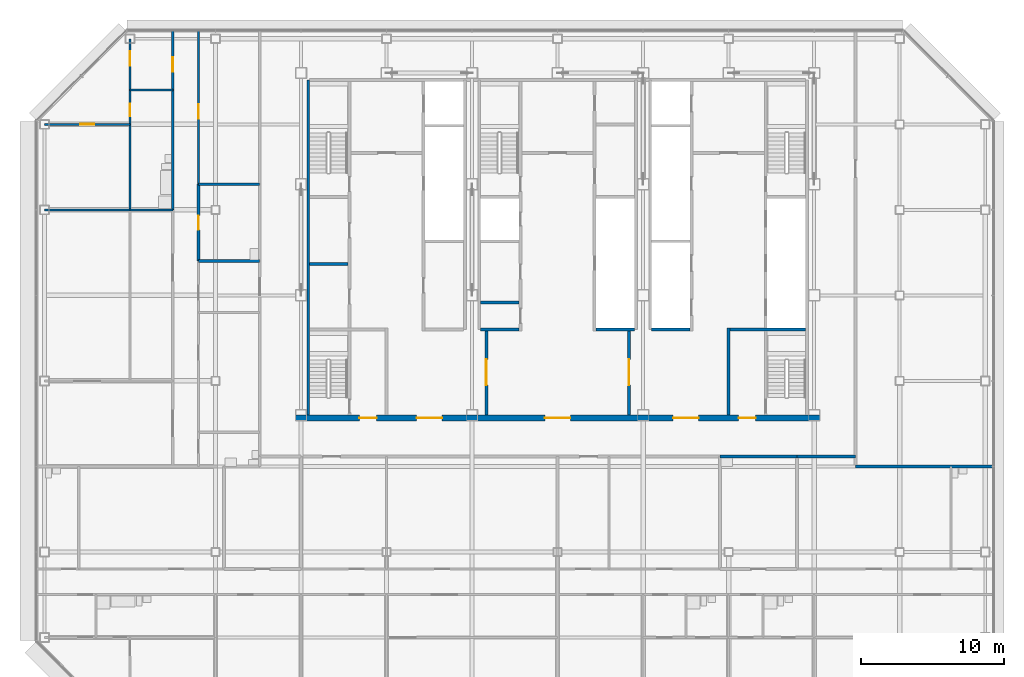
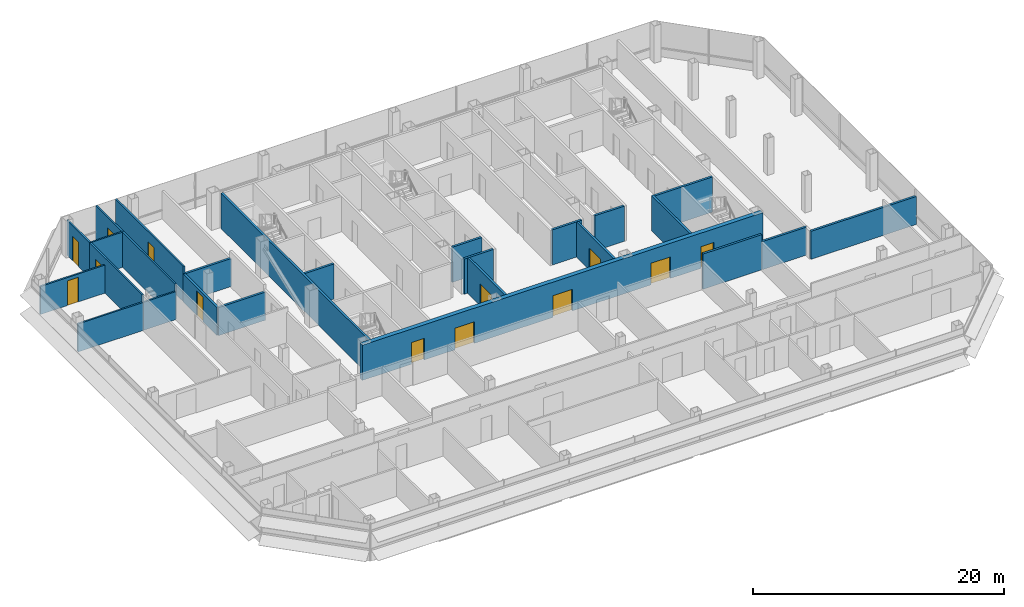
# One storey, part 22 of 27: 26 walls, 13 doors, 13 openings.
"""IFC4 building model written with IfcOpenShell, lengths in metres."""

from ifc_helpers import new_model, si_unit, direction, frame, frame_2d, origin, place, context, subcontext, project, spatial, rectangle, extrude, material, layer, layer_set, type_object, element, fill, save


model = new_model("IFC4")

# Units and contexts
model_context = context("Model", 3, precision=1e-05, world=origin(), true_north=direction((0.0, 1.0)))
body_context = subcontext(model_context, "Body", "Model", "MODEL_VIEW")
ifc_project = project(units=[si_unit("LENGTHUNIT", "METRE"), si_unit("AREAUNIT", "SQUARE_METRE"), si_unit("VOLUMEUNIT", "CUBIC_METRE"), si_unit("PLANEANGLEUNIT", "RADIAN"), si_unit("MASSUNIT", "GRAM", prefix="KILO")], contexts=[model_context])

# Site, building, storey
site_placement = place(None, origin())
site = spatial("IfcSite", under=ifc_project, at=site_placement, CompositionType="ELEMENT")
building_placement = place(site_placement, origin())
building = spatial("IfcBuilding", under=site, at=building_placement, Name="Sorahane Residences", CompositionType="ELEMENT")
storey_placement = place(building_placement, frame((0.0, 0.0, 239.60009765625)))
storey = spatial("IfcBuildingStorey", under=building, at=storey_placement, Name="L56", CompositionType="ELEMENT", Elevation=239.60009765625)

# Walls
ifc_material_1 = material(Name="Concrete C30", Category="concrete")
ifc_layer_1 = layer(ifc_material_1, 0.199951171875)
ifc_layer_set_1 = layer_set([ifc_layer_1], Name="Core face wall 200 EI 180")
wall_type_1 = type_object("IfcWallType", Name="Core face wall 200 EI 180", PredefinedType="SOLIDWALL", material=ifc_layer_set_1)
wall_1_placement = place(storey_placement, frame((6.5, 21.60009765625, 0.0), z_axis=(0.0, 0.0, 1.0), x_axis=(0.0, 1.0, 0.0)))
element("IfcWall", 1, at=wall_1_placement, inside=storey, type_object=wall_type_1, Name="L56 core face wall", PredefinedType="SOLIDWALL", context=body_context, shape_type="SweptSolid", body=[
    extrude(rectangle(XDim=23.5, YDim=0.199951171875, at=frame_2d((11.75, 0.0))), origin(), (0.0, 0.0, 1.0), 3.419921875),
])
ifc_material_2 = material(Name="Concrete blockwork C20 wall", Category="masonry")
ifc_layer_2 = layer(ifc_material_2, 0.199951171875)
ifc_layer_set_2 = layer_set([ifc_layer_2], Name="Corridor wall 200 EI 120")
wall_type_2 = type_object("IfcWallType", Name="Corridor wall 200 EI 120", PredefinedType="SOLIDWALL", material=ifc_layer_set_2)
wall_2_placement = place(storey_placement, frame((44.89990234375, 18.0, 0.0), z_axis=(0.0, 0.0, 1.0), x_axis=(1.0, 0.0, 0.0)))
element("IfcWall", 2, at=wall_2_placement, inside=storey, type_object=wall_type_2, Name="L56 corridor wall", PredefinedType="SOLIDWALL", context=body_context, shape_type="SweptSolid", body=[
    extrude(rectangle(XDim=9.7001953125, YDim=0.199951171875, at=frame_2d((4.85009765625, 0.0))), origin(), (0.0, 0.0, 1.0), 2.719970703125),
])
wall_3_placement = place(storey_placement, frame((40.800048828125, 18.699951171875, 0.0), z_axis=(0.0, 0.0, 1.0), x_axis=(1.0, 0.0, 0.0)))
element("IfcWall", 3, at=wall_3_placement, inside=storey, type_object=wall_type_2, Name="L56 corridor wall", PredefinedType="SOLIDWALL", context=body_context, shape_type="SweptSolid", body=[
    extrude(rectangle(XDim=4.099853515625, YDim=0.199951171875, at=frame_2d((2.0498046875, 0.0))), origin(), (0.0, 0.0, 1.0), 2.719970703125),
])
ifc_material_3 = material(Name="Concrete C30", Category="concrete")
ifc_layer_3 = layer(ifc_material_3, 0.199951171875)
ifc_layer_set_3 = layer_set([ifc_layer_3], Name="Front room wall 200 EI 120")
wall_type_3 = type_object("IfcWallType", Name="Front room wall 200 EI 120", PredefinedType="PARTITIONING", material=ifc_layer_set_3)
wall_4_placement = place(storey_placement, frame((36.0, 21.60009765625, 0.0), z_axis=(0.0, 0.0, 1.0), x_axis=(0.0, 1.0, 0.0)))
element("IfcWall", 4, at=wall_4_placement, inside=storey, type_object=wall_type_3, Name="L56 front room wall", PredefinedType="PARTITIONING", context=body_context, shape_type="SweptSolid", body=[
    extrude(rectangle(XDim=6.099853515625, YDim=0.199951171875, at=frame_2d((3.0498046875, 0.0))), origin(), (0.0, 0.0, 1.0), 3.419921875),
])

# Wall, opening, door
ifc_material_4 = material(Name="Concrete blockwork C20 wall", Category="masonry")
ifc_layer_4 = layer(ifc_material_4, 0.199951171875)
ifc_layer_set_4 = layer_set([ifc_layer_4], Name="Kitchen wall 200 EI 180")
wall_type_4 = type_object("IfcWallType", Name="Kitchen wall 200 EI 180", PredefinedType="SOLIDWALL", material=ifc_layer_set_4)
wall_5_placement = place(storey_placement, frame((-1.199951171875, 32.39990234375, 0.0), z_axis=(0.0, 0.0, 1.0), x_axis=(0.0, 1.0, 0.0)))
wall_5 = element("IfcWall", 5, at=wall_5_placement, inside=storey, type_object=wall_type_4, Name="L56 kitchen wall", PredefinedType="SOLIDWALL", context=body_context, shape_type="SweptSolid", body=[
    extrude(rectangle(XDim=5.400146484375, YDim=0.199951171875, at=frame_2d((2.7001953125, 0.0))), origin(), (0.0, 0.0, 1.0), 2.719970703125),
])
opening_1_placement = place(wall_5_placement, frame((2.199951171875, 0.0, 0.0)))
opening_1 = element("IfcOpeningElement", 6, at=opening_1_placement, cuts=wall_5, Name="Opening L56-31", PredefinedType="OPENING", context=body_context, shape_type="SweptSolid", body=[
    extrude(rectangle(XDim=1.0, YDim=2.39990234375, at=frame_2d((0.5, 1.199951171875))), frame((0.0, 0.10986328125, 0.0), z_axis=(0.0, -1.0, 0.0), x_axis=(1.0, 0.0, 0.0)), (0.0, 0.0, 1.0), 0.219970703125),
])
ifc_material_5 = material(Name="Steel", Category="steel")
door_type_1 = type_object("IfcDoorType", Name="Kitchen door 1000x2400 FD120", OperationType="NOTDEFINED", PredefinedType="DOOR", material=ifc_material_5)
door_1_placement = place(opening_1_placement, frame((1.0, 0.0, 0.0), z_axis=(0.0, 0.0, 1.0), x_axis=(-1.0, 0.0, 0.0)))
door_1 = element("IfcDoor", 7, at=door_1_placement, inside=storey, type_object=door_type_1, Name="Kitchen door L56-31", OperationType="SINGLE_SWING_LEFT", OverallHeight=2.39990234375, OverallWidth=1.0, PredefinedType="DOOR", context=body_context, shape_type="SweptSolid", body=[
    extrude(rectangle(XDim=1.0, YDim=2.39990234375, at=frame_2d((0.5, 1.199951171875))), frame((0.0, 0.02490234375, 0.0), z_axis=(0.0, -1.0, 0.0), x_axis=(1.0, 0.0, 0.0)), (0.0, 0.0, 1.0), 0.050048828125),
])
fill(opening_1, door_1)

# Walls
wall_6_placement = place(storey_placement, frame((35.39990234375, 18.699951171875, 0.0), z_axis=(0.0, 0.0, 1.0), x_axis=(1.0, 0.0, 0.0)))
element("IfcWall", 8, at=wall_6_placement, inside=storey, type_object=wall_type_4, Name="L56 kitchen wall", PredefinedType="SOLIDWALL", context=body_context, shape_type="SweptSolid", body=[
    extrude(rectangle(XDim=5.400146484375, YDim=0.199951171875, at=frame_2d((2.7001953125, 0.0))), origin(), (0.0, 0.0, 1.0), 3.419921875),
])
for number, where, z_axis, x_axis, name in (
    (9, (-1.199951171875, 32.39990234375, 0.0), (0.0, 0.0, 1.0), (1.0, 0.0, 0.0), "L56 kitchen wall"),
    (10, (-1.199951171875, 37.800048828125, 0.0), (0.0, 0.0, 1.0), (1.0, 0.0, 0.0), "L56 kitchen wall"),
):
    element("IfcWall", number, at=place(storey_placement, frame(where, z_axis=z_axis, x_axis=x_axis)), inside=storey, type_object=wall_type_4, Name=name, PredefinedType="SOLIDWALL", context=body_context, shape_type="SweptSolid", body=[
        extrude(rectangle(XDim=4.300048828125, YDim=0.199951171875, at=frame_2d((2.14990234375, 0.0))), origin(), (0.0, 0.0, 1.0), 2.719970703125),
    ])
ifc_material_6 = material(Name="Concrete C30", Category="concrete")
ifc_layer_5 = layer(ifc_material_6, 0.199951171875)
ifc_layer_set_5 = layer_set([ifc_layer_5], Name="Lift shaft wall 200 EI 120")
wall_type_5 = type_object("IfcWallType", Name="Lift shaft wall 200 EI 120", PredefinedType="SOLIDWALL", material=ifc_layer_set_5)
wall_7_placement = place(storey_placement, frame((30.60009765625, 27.60009765625, 0.0), z_axis=(0.0, 0.0, 1.0), x_axis=(1.0, 0.0, 0.0)))
element("IfcWall", 11, at=wall_7_placement, inside=storey, type_object=wall_type_5, Name="L56 lift shaft wall", PredefinedType="SOLIDWALL", context=body_context, shape_type="SweptSolid", body=[
    extrude(rectangle(XDim=2.699951171875, YDim=0.199951171875, at=frame_2d((1.35009765625, 0.0))), origin(), (0.0, 0.0, 1.0), 3.419921875),
])

# Wall, opening, door
ifc_material_7 = material(Name="Gypsum board partition on steel studs", Category="steel")
ifc_layer_6 = layer(ifc_material_7, 0.14990234375)
ifc_layer_set_6 = layer_set([ifc_layer_6], Name="Partition 150 EI 90")
wall_type_6 = type_object("IfcWallType", Name="Partition 150 EI 90", PredefinedType="PARTITIONING", material=ifc_layer_set_6)
wall_8_placement = place(storey_placement, frame((-1.199951171875, 37.800048828125, 0.0), z_axis=(0.0, 0.0, 1.0), x_axis=(0.0, 1.0, 0.0)))
wall_8 = element("IfcWall", 12, at=wall_8_placement, inside=storey, type_object=wall_type_6, Name="L56 partition", PredefinedType="PARTITIONING", context=body_context, shape_type="SweptSolid", body=[
    extrude(rectangle(XDim=10.800048828125, YDim=0.14990234375, at=frame_2d((5.39990234375, 0.0))), origin(), (0.0, 0.0, 1.0), 3.419921875),
])
opening_2_placement = place(wall_8_placement, frame((4.60009765625, 0.0, 0.0)))
opening_2 = element("IfcOpeningElement", 13, at=opening_2_placement, cuts=wall_8, Name="Opening L56-32", PredefinedType="OPENING", context=body_context, shape_type="SweptSolid", body=[
    extrude(rectangle(XDim=1.0, YDim=2.39990234375, at=frame_2d((0.5, 1.199951171875))), frame((0.0, 0.0849609375, 0.0), z_axis=(0.0, -1.0, 0.0), x_axis=(1.0, 0.0, 0.0)), (0.0, 0.0, 1.0), 0.169921875),
])
ifc_material_8 = material(Name="Timber veneered fire door", Category="wood")
door_type_2 = type_object("IfcDoorType", Name="Room door 1000x2400 FD30", OperationType="NOTDEFINED", PredefinedType="DOOR", material=ifc_material_8)
door_2_placement = place(opening_2_placement, frame((1.0, 0.0, 0.0), z_axis=(0.0, 0.0, 1.0), x_axis=(-1.0, 0.0, 0.0)))
door_2 = element("IfcDoor", 14, at=door_2_placement, inside=storey, type_object=door_type_2, Name="Room door L56-32", OperationType="SINGLE_SWING_LEFT", OverallHeight=2.39990234375, OverallWidth=1.0, PredefinedType="DOOR", context=body_context, shape_type="SweptSolid", body=[
    extrude(rectangle(XDim=1.0, YDim=2.39990234375, at=frame_2d((0.5, 1.199951171875))), frame((0.0, 0.02490234375, 0.0), z_axis=(0.0, -1.0, 0.0), x_axis=(1.0, 0.0, 0.0)), (0.0, 0.0, 1.0), 0.050048828125),
])
fill(opening_2, door_2)

wall_9_placement = place(storey_placement, frame((-3.0, 44.39990234375, 0.0), z_axis=(0.0, 0.0, 1.0), x_axis=(0.0, 1.0, 0.0)))
wall_9 = element("IfcWall", 15, at=wall_9_placement, inside=storey, type_object=wall_type_6, Name="L56 partition", PredefinedType="PARTITIONING", context=body_context, shape_type="SweptSolid", body=[
    extrude(rectangle(XDim=4.2001953125, YDim=0.14990234375, at=frame_2d((2.10009765625, 0.0))), origin(), (0.0, 0.0, 1.0), 3.419921875),
])
opening_3_placement = place(wall_9_placement, frame((1.300048828125, 0.0, 0.0)))
opening_3 = element("IfcOpeningElement", 16, at=opening_3_placement, cuts=wall_9, Name="Opening L56-36", PredefinedType="OPENING", context=body_context, shape_type="SweptSolid", body=[
    extrude(rectangle(XDim=1.0, YDim=2.39990234375, at=frame_2d((0.5, 1.199951171875))), frame((0.0, 0.0849609375, 0.0), z_axis=(0.0, -1.0, 0.0), x_axis=(1.0, 0.0, 0.0)), (0.0, 0.0, 1.0), 0.169921875),
])
door_3_placement = place(opening_3_placement, origin())
door_3 = element("IfcDoor", 17, at=door_3_placement, inside=storey, type_object=door_type_2, Name="Room door L56-36", OperationType="SINGLE_SWING_LEFT", OverallHeight=2.39990234375, OverallWidth=1.0, PredefinedType="DOOR", context=body_context, shape_type="SweptSolid", body=[
    extrude(rectangle(XDim=1.0, YDim=2.39990234375, at=frame_2d((0.5, 1.199951171875))), frame((0.0, 0.02490234375, 0.0), z_axis=(0.0, -1.0, 0.0), x_axis=(1.0, 0.0, 0.0)), (0.0, 0.0, 1.0), 0.050048828125),
])
fill(opening_3, door_3)

wall_10_placement = place(storey_placement, frame((-6.0, 44.39990234375, 0.0), z_axis=(0.0, 0.0, 1.0), x_axis=(0.0, 1.0, 0.0)))
wall_10 = element("IfcWall", 18, at=wall_10_placement, inside=storey, type_object=wall_type_6, Name="L56 partition", PredefinedType="PARTITIONING", context=body_context, shape_type="SweptSolid", body=[
    extrude(rectangle(XDim=3.60009765625, YDim=0.14990234375, at=frame_2d((1.800048828125, 0.0))), origin(), (0.0, 0.0, 1.0), 3.419921875),
])
opening_4_placement = place(wall_10_placement, frame((1.719970703125, 0.0, 0.0)))
opening_4 = element("IfcOpeningElement", 19, at=opening_4_placement, cuts=wall_10, Name="Opening L56-37", PredefinedType="OPENING", context=body_context, shape_type="SweptSolid", body=[
    extrude(rectangle(XDim=1.0, YDim=2.39990234375, at=frame_2d((0.5, 1.199951171875))), frame((0.0, 0.0849609375, 0.0), z_axis=(0.0, -1.0, 0.0), x_axis=(1.0, 0.0, 0.0)), (0.0, 0.0, 1.0), 0.169921875),
])
door_4_placement = place(opening_4_placement, origin())
door_4 = element("IfcDoor", 20, at=door_4_placement, inside=storey, type_object=door_type_2, Name="Room door L56-37", OperationType="SINGLE_SWING_RIGHT", OverallHeight=2.39990234375, OverallWidth=1.0, PredefinedType="DOOR", context=body_context, shape_type="SweptSolid", body=[
    extrude(rectangle(XDim=1.0, YDim=2.39990234375, at=frame_2d((0.5, 1.199951171875))), frame((0.0, 0.02490234375, 0.0), z_axis=(0.0, -1.0, 0.0), x_axis=(1.0, 0.0, 0.0)), (0.0, 0.0, 1.0), 0.050048828125),
])
fill(opening_4, door_4)

# Wall
wall_11_placement = place(storey_placement, frame((-12.0, 36.0, 0.0), z_axis=(0.0, 0.0, 1.0), x_axis=(1.0, 0.0, 0.0)))
element("IfcWall", 21, at=wall_11_placement, inside=storey, type_object=wall_type_6, Name="L56 partition", PredefinedType="PARTITIONING", context=body_context, shape_type="SweptSolid", body=[
    extrude(rectangle(XDim=6.0, YDim=0.14990234375, at=frame_2d((3.0, 0.0))), origin(), (0.0, 0.0, 1.0), 2.719970703125),
])

# Wall, opening, door
wall_12_placement = place(storey_placement, frame((-12.0, 42.0, 0.0), z_axis=(0.0, 0.0, 1.0), x_axis=(1.0, 0.0, 0.0)))
wall_12 = element("IfcWall", 22, at=wall_12_placement, inside=storey, type_object=wall_type_6, Name="L56 partition", PredefinedType="PARTITIONING", context=body_context, shape_type="SweptSolid", body=[
    extrude(rectangle(XDim=6.0, YDim=0.14990234375, at=frame_2d((3.0, 0.0))), origin(), (0.0, 0.0, 1.0), 2.719970703125),
])
opening_5_placement = place(wall_12_placement, frame((2.5, 0.0, 0.0)))
opening_5 = element("IfcOpeningElement", 23, at=opening_5_placement, cuts=wall_12, Name="Opening L56-38", PredefinedType="OPENING", context=body_context, shape_type="SweptSolid", body=[
    extrude(rectangle(XDim=1.0, YDim=2.39990234375, at=frame_2d((0.5, 1.199951171875))), frame((0.0, 0.0849609375, 0.0), z_axis=(0.0, -1.0, 0.0), x_axis=(1.0, 0.0, 0.0)), (0.0, 0.0, 1.0), 0.169921875),
])
door_5_placement = place(opening_5_placement, frame((1.0, 0.0, 0.0), z_axis=(0.0, 0.0, 1.0), x_axis=(-1.0, 0.0, 0.0)))
door_5 = element("IfcDoor", 24, at=door_5_placement, inside=storey, type_object=door_type_2, Name="Room door L56-38", OperationType="SINGLE_SWING_RIGHT", OverallHeight=2.39990234375, OverallWidth=1.0, PredefinedType="DOOR", context=body_context, shape_type="SweptSolid", body=[
    extrude(rectangle(XDim=1.0, YDim=2.39990234375, at=frame_2d((0.5, 1.199951171875))), frame((0.0, 0.02490234375, 0.0), z_axis=(0.0, -1.0, 0.0), x_axis=(1.0, 0.0, 0.0)), (0.0, 0.0, 1.0), 0.050048828125),
])
fill(opening_5, door_5)

# Wall
ifc_material_9 = material(Name="Concrete C30", Category="concrete")
ifc_layer_7 = layer(ifc_material_9, 0.199951171875)
ifc_layer_set_7 = layer_set([ifc_layer_7], Name="Riser shaft wall 200 EI 120")
wall_type_7 = type_object("IfcWallType", Name="Riser shaft wall 200 EI 120", PredefinedType="SOLIDWALL", material=ifc_layer_set_7)
wall_13_placement = place(storey_placement, frame((26.699951171875, 27.60009765625, 0.0), z_axis=(0.0, 0.0, 1.0), x_axis=(1.0, 0.0, 0.0)))
element("IfcWall", 25, at=wall_13_placement, inside=storey, type_object=wall_type_7, Name="L56 riser wall", PredefinedType="SOLIDWALL", context=body_context, shape_type="SweptSolid", body=[
    extrude(rectangle(XDim=2.699951171875, YDim=0.199951171875, at=frame_2d((1.35009765625, 0.0))), origin(), (0.0, 0.0, 1.0), 3.419921875),
])

# Wall, opening, door
ifc_material_10 = material(Name="Concrete C30", Category="concrete")
ifc_layer_8 = layer(ifc_material_10, 0.199951171875)
ifc_layer_set_8 = layer_set([ifc_layer_8], Name="Service room partition 200 EI 60")
wall_type_8 = type_object("IfcWallType", Name="Service room partition 200 EI 60", PredefinedType="PARTITIONING", material=ifc_layer_set_8)
wall_14_placement = place(storey_placement, frame((19.0, 21.60009765625, 0.0), z_axis=(0.0, 0.0, 1.0), x_axis=(0.0, 1.0, 0.0)))
wall_14 = element("IfcWall", 26, at=wall_14_placement, inside=storey, type_object=wall_type_8, Name="L56 service room wall", PredefinedType="PARTITIONING", context=body_context, shape_type="SweptSolid", body=[
    extrude(rectangle(XDim=6.0, YDim=0.199951171875, at=frame_2d((3.0, 0.0))), origin(), (0.0, 0.0, 1.0), 3.419921875),
])
opening_6_placement = place(wall_14_placement, frame((2.10009765625, 0.0, 0.0)))
opening_6 = element("IfcOpeningElement", 27, at=opening_6_placement, cuts=wall_14, Name="Opening L56-C02", PredefinedType="OPENING", context=body_context, shape_type="SweptSolid", body=[
    extrude(rectangle(XDim=1.800048828125, YDim=2.10009765625, at=frame_2d((0.89990234375, 1.050048828125))), frame((0.0, 0.10986328125, 0.0), z_axis=(0.0, -1.0, 0.0), x_axis=(1.0, 0.0, 0.0)), (0.0, 0.0, 1.0), 0.219970703125),
])
ifc_material_11 = material(Name="Steel", Category="steel")
door_type_3 = type_object("IfcDoorType", Name="Waiting hall door 1800x2100 FD60", OperationType="NOTDEFINED", PredefinedType="DOOR", material=ifc_material_11)
door_6_placement = place(opening_6_placement, origin())
door_6 = element("IfcDoor", 28, at=door_6_placement, inside=storey, type_object=door_type_3, Name="Waiting hall door Residents' waiting hall west L56", OperationType="SINGLE_SWING_LEFT", OverallHeight=2.10009765625, OverallWidth=1.800048828125, PredefinedType="DOOR", context=body_context, shape_type="SweptSolid", body=[
    extrude(rectangle(XDim=1.800048828125, YDim=2.10009765625, at=frame_2d((0.89990234375, 1.050048828125))), frame((0.0, 0.02490234375, 0.0), z_axis=(0.0, -1.0, 0.0), x_axis=(1.0, 0.0, 0.0)), (0.0, 0.0, 1.0), 0.050048828125),
])
fill(opening_6, door_6)

wall_15_placement = place(storey_placement, frame((29.0, 21.60009765625, 0.0), z_axis=(0.0, 0.0, 1.0), x_axis=(0.0, 1.0, 0.0)))
wall_15 = element("IfcWall", 29, at=wall_15_placement, inside=storey, type_object=wall_type_8, Name="L56 service room wall", PredefinedType="PARTITIONING", context=body_context, shape_type="SweptSolid", body=[
    extrude(rectangle(XDim=6.0, YDim=0.199951171875, at=frame_2d((3.0, 0.0))), origin(), (0.0, 0.0, 1.0), 3.419921875),
])
opening_7_placement = place(wall_15_placement, frame((2.10009765625, 0.0, 0.0)))
opening_7 = element("IfcOpeningElement", 30, at=opening_7_placement, cuts=wall_15, Name="Opening L56-C04", PredefinedType="OPENING", context=body_context, shape_type="SweptSolid", body=[
    extrude(rectangle(XDim=1.800048828125, YDim=2.10009765625, at=frame_2d((0.89990234375, 1.050048828125))), frame((0.0, 0.10986328125, 0.0), z_axis=(0.0, -1.0, 0.0), x_axis=(1.0, 0.0, 0.0)), (0.0, 0.0, 1.0), 0.219970703125),
])
door_7_placement = place(opening_7_placement, origin())
door_7 = element("IfcDoor", 31, at=door_7_placement, inside=storey, type_object=door_type_3, Name="Waiting hall door Residents' waiting hall centre L56", OperationType="SINGLE_SWING_LEFT", OverallHeight=2.10009765625, OverallWidth=1.800048828125, PredefinedType="DOOR", context=body_context, shape_type="SweptSolid", body=[
    extrude(rectangle(XDim=1.800048828125, YDim=2.10009765625, at=frame_2d((0.89990234375, 1.050048828125))), frame((0.0, 0.02490234375, 0.0), z_axis=(0.0, -1.0, 0.0), x_axis=(1.0, 0.0, 0.0)), (0.0, 0.0, 1.0), 0.050048828125),
])
fill(opening_7, door_7)

# Walls
for number, where, z_axis, x_axis, name in (
    (32, (18.60009765625, 27.60009765625, 0.0), (0.0, 0.0, 1.0), (1.0, 0.0, 0.0), "L56 service room wall"),
    (33, (18.60009765625, 29.5, 0.0), (0.0, 0.0, 1.0), (1.0, 0.0, 0.0), "L56 service room wall"),
    (34, (6.60009765625, 32.199951171875, 0.0), (0.0, 0.0, 1.0), (1.0, 0.0, 0.0), "L56 service room wall"),
):
    element("IfcWall", number, at=place(storey_placement, frame(where, z_axis=z_axis, x_axis=x_axis)), inside=storey, type_object=wall_type_8, Name=name, PredefinedType="PARTITIONING", context=body_context, shape_type="SweptSolid", body=[
        extrude(rectangle(XDim=2.699951171875, YDim=0.199951171875, at=frame_2d((1.35009765625, 0.0))), origin(), (0.0, 0.0, 1.0), 3.419921875),
    ])
ifc_material_12 = material(Name="Concrete C30", Category="concrete")
ifc_layer_9 = layer(ifc_material_12, 0.199951171875)
ifc_layer_set_9 = layer_set([ifc_layer_9], Name="Stair enclosure wall 200 EI 120")
wall_type_9 = type_object("IfcWallType", Name="Stair enclosure wall 200 EI 120", PredefinedType="SOLIDWALL", material=ifc_layer_set_9)
wall_16_placement = place(storey_placement, frame((36.10009765625, 27.60009765625, 0.0), z_axis=(0.0, 0.0, 1.0), x_axis=(1.0, 0.0, 0.0)))
element("IfcWall", 35, at=wall_16_placement, inside=storey, type_object=wall_type_9, Name="L56 stair enclosure wall", PredefinedType="SOLIDWALL", context=body_context, shape_type="SweptSolid", body=[
    extrude(rectangle(XDim=5.2998046875, YDim=0.199951171875, at=frame_2d((2.64990234375, 0.0))), origin(), (0.0, 0.0, 1.0), 3.419921875),
])

# Wall, openings, doors
ifc_material_13 = material(Name="Concrete C30", Category="concrete")
ifc_layer_10 = layer(ifc_material_13, 0.39990234375)
ifc_layer_set_10 = layer_set([ifc_layer_10], Name="Waiting hall wall 400 EI 120")
wall_type_10 = type_object("IfcWallType", Name="Waiting hall wall 400 EI 120", PredefinedType="SOLIDWALL", material=ifc_layer_set_10)
wall_17_placement = place(storey_placement, frame((5.60009765625, 21.39990234375, 0.0), z_axis=(0.0, 0.0, 1.0), x_axis=(1.0, 0.0, 0.0)))
wall_17 = element("IfcWall", 36, at=wall_17_placement, inside=storey, type_object=wall_type_10, Name="L56 waiting hall wall", PredefinedType="SOLIDWALL", context=body_context, shape_type="SweptSolid", body=[
    extrude(rectangle(XDim=36.7998046875, YDim=0.39990234375, at=frame_2d((18.39990234375, 0.0))), origin(), (0.0, 0.0, 1.0), 3.419921875),
])
opening_8_placement = place(wall_17_placement, frame((8.5, 0.0, 0.0)))
opening_8 = element("IfcOpeningElement", 37, at=opening_8_placement, cuts=wall_17, Name="Opening L56-C01", PredefinedType="OPENING", context=body_context, shape_type="SweptSolid", body=[
    extrude(rectangle(XDim=1.800048828125, YDim=2.10009765625, at=frame_2d((0.89990234375, 1.050048828125))), frame((0.0, 0.2099609375, 0.0), z_axis=(0.0, -1.0, 0.0), x_axis=(1.0, 0.0, 0.0)), (0.0, 0.0, 1.0), 0.419921875),
])
opening_9_placement = place(wall_17_placement, frame((17.5, 0.0, 0.0)))
opening_9 = element("IfcOpeningElement", 38, at=opening_9_placement, cuts=wall_17, Name="Opening L56-C03", PredefinedType="OPENING", context=body_context, shape_type="SweptSolid", body=[
    extrude(rectangle(XDim=1.800048828125, YDim=2.10009765625, at=frame_2d((0.89990234375, 1.050048828125))), frame((0.0, 0.2099609375, 0.0), z_axis=(0.0, -1.0, 0.0), x_axis=(1.0, 0.0, 0.0)), (0.0, 0.0, 1.0), 0.419921875),
])
opening_10_placement = place(wall_17_placement, frame((26.5, 0.0, 0.0)))
opening_10 = element("IfcOpeningElement", 39, at=opening_10_placement, cuts=wall_17, Name="Opening L56-C05", PredefinedType="OPENING", context=body_context, shape_type="SweptSolid", body=[
    extrude(rectangle(XDim=1.800048828125, YDim=2.10009765625, at=frame_2d((0.89990234375, 1.050048828125))), frame((0.0, 0.2099609375, 0.0), z_axis=(0.0, -1.0, 0.0), x_axis=(1.0, 0.0, 0.0)), (0.0, 0.0, 1.0), 0.419921875),
])
opening_11_placement = place(wall_17_placement, frame((4.5, 0.0, 0.0)))
opening_11 = element("IfcOpeningElement", 40, at=opening_11_placement, cuts=wall_17, Name="Opening L56-C06", PredefinedType="OPENING", context=body_context, shape_type="SweptSolid", body=[
    extrude(rectangle(XDim=1.199951171875, YDim=2.10009765625, at=frame_2d((0.60009765625, 1.050048828125))), frame((0.0, 0.2099609375, 0.0), z_axis=(0.0, -1.0, 0.0), x_axis=(1.0, 0.0, 0.0)), (0.0, 0.0, 1.0), 0.419921875),
])
opening_12_placement = place(wall_17_placement, frame((31.10009765625, 0.0, 0.0)))
opening_12 = element("IfcOpeningElement", 41, at=opening_12_placement, cuts=wall_17, Name="Opening L56-C07", PredefinedType="OPENING", context=body_context, shape_type="SweptSolid", body=[
    extrude(rectangle(XDim=1.199951171875, YDim=2.10009765625, at=frame_2d((0.60009765625, 1.050048828125))), frame((0.0, 0.2099609375, 0.0), z_axis=(0.0, -1.0, 0.0), x_axis=(1.0, 0.0, 0.0)), (0.0, 0.0, 1.0), 0.419921875),
])
ifc_material_14 = material(Name="Steel", Category="steel")
door_type_4 = type_object("IfcDoorType", Name="Stair front room door 1200x2100 FD120", OperationType="NOTDEFINED", PredefinedType="DOOR", material=ifc_material_14)
door_8_placement = place(opening_11_placement, frame((1.199951171875, 0.0, 0.0), z_axis=(0.0, 0.0, 1.0), x_axis=(-1.0, 0.0, 0.0)))
door_8 = element("IfcDoor", 42, at=door_8_placement, inside=storey, type_object=door_type_4, Name="Stair front room door Stair S4 front room L56", OperationType="SINGLE_SWING_LEFT", OverallHeight=2.10009765625, OverallWidth=1.199951171875, PredefinedType="DOOR", context=body_context, shape_type="SweptSolid", body=[
    extrude(rectangle(XDim=1.199951171875, YDim=2.10009765625, at=frame_2d((0.60009765625, 1.050048828125))), frame((0.0, 0.02490234375, 0.0), z_axis=(0.0, -1.0, 0.0), x_axis=(1.0, 0.0, 0.0)), (0.0, 0.0, 1.0), 0.050048828125),
])
fill(opening_11, door_8)
door_9_placement = place(opening_12_placement, frame((1.199951171875, 0.0, 0.0), z_axis=(0.0, 0.0, 1.0), x_axis=(-1.0, 0.0, 0.0)))
door_9 = element("IfcDoor", 43, at=door_9_placement, inside=storey, type_object=door_type_4, Name="Stair front room door Stair S5 front room L56", OperationType="SINGLE_SWING_LEFT", OverallHeight=2.10009765625, OverallWidth=1.199951171875, PredefinedType="DOOR", context=body_context, shape_type="SweptSolid", body=[
    extrude(rectangle(XDim=1.199951171875, YDim=2.10009765625, at=frame_2d((0.60009765625, 1.050048828125))), frame((0.0, 0.02490234375, 0.0), z_axis=(0.0, -1.0, 0.0), x_axis=(1.0, 0.0, 0.0)), (0.0, 0.0, 1.0), 0.050048828125),
])
fill(opening_12, door_9)
door_10_placement = place(opening_8_placement, frame((1.800048828125, 0.0, 0.0), z_axis=(0.0, 0.0, 1.0), x_axis=(-1.0, 0.0, 0.0)))
door_10 = element("IfcDoor", 44, at=door_10_placement, inside=storey, type_object=door_type_3, Name="Waiting hall door Residents' waiting hall west L56", OperationType="SINGLE_SWING_LEFT", OverallHeight=2.10009765625, OverallWidth=1.800048828125, PredefinedType="DOOR", context=body_context, shape_type="SweptSolid", body=[
    extrude(rectangle(XDim=1.800048828125, YDim=2.10009765625, at=frame_2d((0.89990234375, 1.050048828125))), frame((0.0, 0.02490234375, 0.0), z_axis=(0.0, -1.0, 0.0), x_axis=(1.0, 0.0, 0.0)), (0.0, 0.0, 1.0), 0.050048828125),
])
fill(opening_8, door_10)
door_11_placement = place(opening_9_placement, frame((1.800048828125, 0.0, 0.0), z_axis=(0.0, 0.0, 1.0), x_axis=(-1.0, 0.0, 0.0)))
door_11 = element("IfcDoor", 45, at=door_11_placement, inside=storey, type_object=door_type_3, Name="Waiting hall door Residents' waiting hall centre L56", OperationType="SINGLE_SWING_LEFT", OverallHeight=2.10009765625, OverallWidth=1.800048828125, PredefinedType="DOOR", context=body_context, shape_type="SweptSolid", body=[
    extrude(rectangle(XDim=1.800048828125, YDim=2.10009765625, at=frame_2d((0.89990234375, 1.050048828125))), frame((0.0, 0.02490234375, 0.0), z_axis=(0.0, -1.0, 0.0), x_axis=(1.0, 0.0, 0.0)), (0.0, 0.0, 1.0), 0.050048828125),
])
fill(opening_9, door_11)
door_12_placement = place(opening_10_placement, frame((1.800048828125, 0.0, 0.0), z_axis=(0.0, 0.0, 1.0), x_axis=(-1.0, 0.0, 0.0)))
door_12 = element("IfcDoor", 46, at=door_12_placement, inside=storey, type_object=door_type_3, Name="Waiting hall door Residents' waiting hall east L56", OperationType="SINGLE_SWING_LEFT", OverallHeight=2.10009765625, OverallWidth=1.800048828125, PredefinedType="DOOR", context=body_context, shape_type="SweptSolid", body=[
    extrude(rectangle(XDim=1.800048828125, YDim=2.10009765625, at=frame_2d((0.89990234375, 1.050048828125))), frame((0.0, 0.02490234375, 0.0), z_axis=(0.0, -1.0, 0.0), x_axis=(1.0, 0.0, 0.0)), (0.0, 0.0, 1.0), 0.050048828125),
])
fill(opening_10, door_12)

# Wall
ifc_material_15 = material(Name="Gypsum board partition on steel studs", Category="steel")
ifc_layer_11 = layer(ifc_material_15, 0.14990234375)
ifc_layer_set_11 = layer_set([ifc_layer_11], Name="Wet wall 150 EI 90")
wall_type_11 = type_object("IfcWallType", Name="Wet wall 150 EI 90", PredefinedType="PARTITIONING", material=ifc_layer_set_11)
wall_18_placement = place(storey_placement, frame((-3.0, 36.0, 0.0), z_axis=(0.0, 0.0, 1.0), x_axis=(0.0, 1.0, 0.0)))
element("IfcWall", 47, at=wall_18_placement, inside=storey, type_object=wall_type_11, Name="L56 wet wall", PredefinedType="PARTITIONING", context=body_context, shape_type="SweptSolid", body=[
    extrude(rectangle(XDim=8.39990234375, YDim=0.14990234375, at=frame_2d((4.199951171875, 0.0))), origin(), (0.0, 0.0, 1.0), 3.419921875),
])

# Wall, opening, door
wall_19_placement = place(storey_placement, frame((-6.0, 36.0, 0.0), z_axis=(0.0, 0.0, 1.0), x_axis=(0.0, 1.0, 0.0)))
wall_19 = element("IfcWall", 48, at=wall_19_placement, inside=storey, type_object=wall_type_11, Name="L56 wet wall", PredefinedType="PARTITIONING", context=body_context, shape_type="SweptSolid", body=[
    extrude(rectangle(XDim=8.39990234375, YDim=0.14990234375, at=frame_2d((4.199951171875, 0.0))), origin(), (0.0, 0.0, 1.0), 3.419921875),
])
opening_13_placement = place(wall_19_placement, frame((6.550048828125, 0.0, 0.0)))
opening_13 = element("IfcOpeningElement", 49, at=opening_13_placement, cuts=wall_19, Name="Opening L56-39", PredefinedType="OPENING", context=body_context, shape_type="SweptSolid", body=[
    extrude(rectangle(XDim=0.89990234375, YDim=2.39990234375, at=frame_2d((0.449951171875, 1.199951171875))), frame((0.0, 0.0849609375, 0.0), z_axis=(0.0, -1.0, 0.0), x_axis=(1.0, 0.0, 0.0)), (0.0, 0.0, 1.0), 0.169921875),
])
ifc_material_16 = material(Name="Timber veneered fire door", Category="wood")
door_type_5 = type_object("IfcDoorType", Name="Bathroom door 900x2400 FD30", OperationType="NOTDEFINED", PredefinedType="DOOR", material=ifc_material_16)
door_13_placement = place(opening_13_placement, origin())
door_13 = element("IfcDoor", 50, at=door_13_placement, inside=storey, type_object=door_type_5, Name="Bathroom door L56-39", OperationType="SINGLE_SWING_LEFT", OverallHeight=2.39990234375, OverallWidth=0.89990234375, PredefinedType="DOOR", context=body_context, shape_type="SweptSolid", body=[
    extrude(rectangle(XDim=0.89990234375, YDim=2.39990234375, at=frame_2d((0.449951171875, 1.199951171875))), frame((0.0, 0.02490234375, 0.0), z_axis=(0.0, -1.0, 0.0), x_axis=(1.0, 0.0, 0.0)), (0.0, 0.0, 1.0), 0.050048828125),
])
fill(opening_13, door_13)

# Walls
wall_20_placement = place(storey_placement, frame((-6.0, 36.0, 0.0), z_axis=(0.0, 0.0, 1.0), x_axis=(1.0, 0.0, 0.0)))
element("IfcWall", 51, at=wall_20_placement, inside=storey, type_object=wall_type_11, Name="L56 wet wall", PredefinedType="PARTITIONING", context=body_context, shape_type="SweptSolid", body=[
    extrude(rectangle(XDim=3.0, YDim=0.14990234375, at=frame_2d((1.5, 0.0))), origin(), (0.0, 0.0, 1.0), 2.719970703125),
])
wall_21_placement = place(storey_placement, frame((-6.0, 44.39990234375, 0.0), z_axis=(0.0, 0.0, 1.0), x_axis=(1.0, 0.0, 0.0)))
element("IfcWall", 52, at=wall_21_placement, inside=storey, type_object=wall_type_11, Name="L56 wet wall", PredefinedType="PARTITIONING", context=body_context, shape_type="SweptSolid", body=[
    extrude(rectangle(XDim=3.0, YDim=0.14990234375, at=frame_2d((1.5, 0.0))), origin(), (0.0, 0.0, 1.0), 3.419921875),
])

save(model, "model.ifc")
